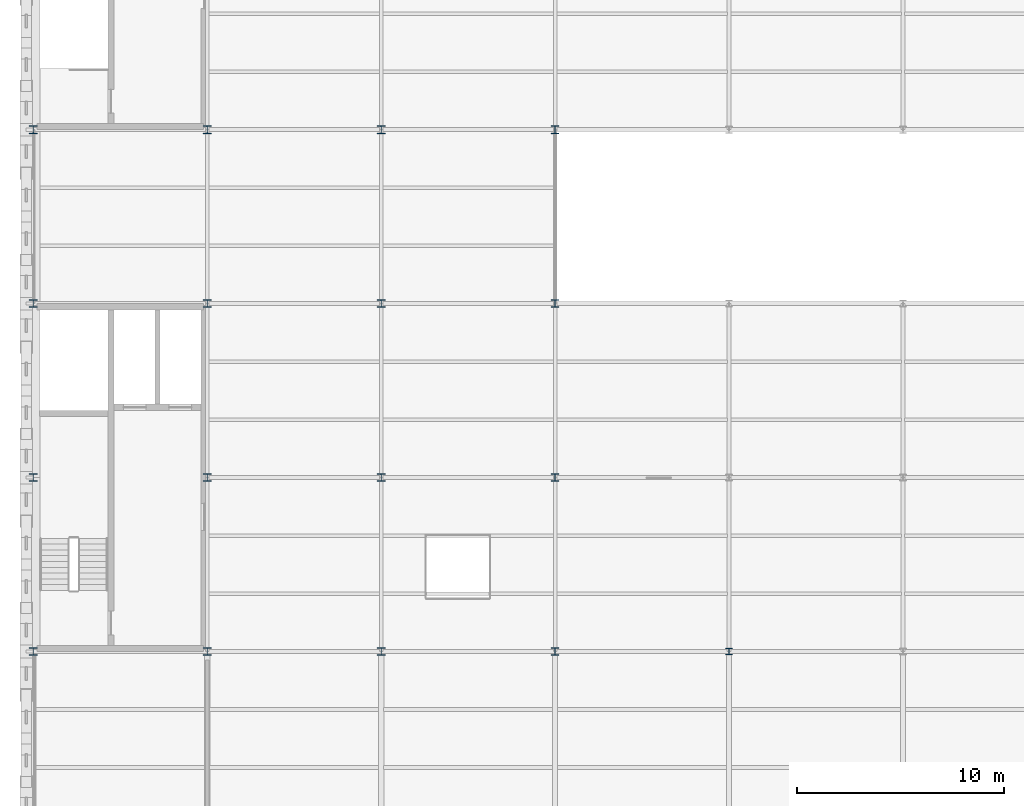
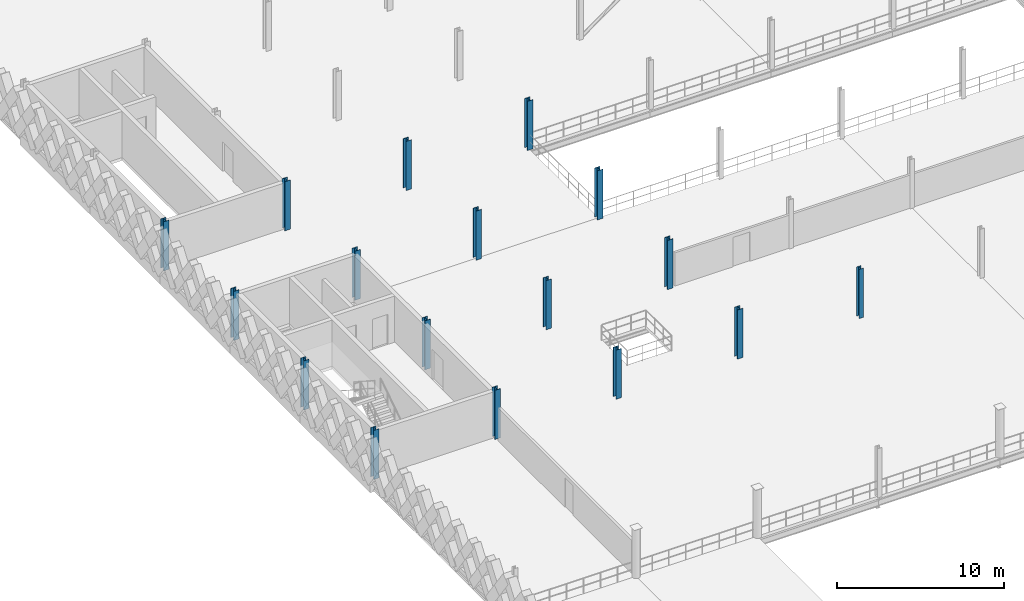
# One storey, part 3 of 47: 17 columns.
"""IFC4 building model written with IfcOpenShell, lengths in metres."""

from ifc_helpers import new_model, si_unit, direction, frame, origin, origin_2d, place, context, subcontext, project, spatial, i_section, extrude, material, material_profile, profile_set, type_object, element, save


model = new_model("IFC4")

# Units and contexts
model_context = context("Model", 3, precision=1e-05, world=origin(), true_north=direction((0.0, 1.0)))
body_context = subcontext(model_context, "Body", "Model", "MODEL_VIEW")
ifc_project = project(units=[si_unit("LENGTHUNIT", "METRE"), si_unit("AREAUNIT", "SQUARE_METRE"), si_unit("VOLUMEUNIT", "CUBIC_METRE"), si_unit("PLANEANGLEUNIT", "RADIAN"), si_unit("MASSUNIT", "GRAM", prefix="KILO"), si_unit("THERMODYNAMICTEMPERATUREUNIT", "KELVIN"), si_unit("POWERUNIT", "WATT")], contexts=[model_context])

# Site, building, storey
site_placement = place(None, origin())
site = spatial("IfcSite", under=ifc_project, at=site_placement, CompositionType="ELEMENT")
building_placement = place(site_placement, origin())
building = spatial("IfcBuilding", under=site, at=building_placement, Name="Tembeka Court Mobility Hub", CompositionType="ELEMENT")
storey_placement = place(building_placement, frame((0.0, 0.0, 19.800048828125)))
storey = spatial("IfcBuildingStorey", under=building, at=storey_placement, Name="L05", CompositionType="ELEMENT", Elevation=19.800048828125)

# Columns
ifc_material = material(Name="Steel S355", Category="steel")
ifc_material_profile_1 = material_profile(ifc_material, i_section(OverallWidth=0.373046875, OverallDepth=0.367919921875, WebThickness=0.014404296875, FlangeThickness=0.023681640625, FilletRadius=0.01513671875, at=origin_2d()), Name="UKC 356x368x177")
ifc_profile_set_1 = profile_set([ifc_material_profile_1], Name="Steel S355")
column_type_1 = type_object("IfcColumnType", Name="COL-C03", PredefinedType="COLUMN", material=ifc_profile_set_1)
for number, where, z_axis, x_axis, name in (
    (1, (0.0, 38.39990234375, 0.0), (0.0, 0.0, 1.0), (1.0, 0.0, 0.0), "Column C03 (L05-004)"),
    (2, (0.0, 46.800048828125, 0.0), (0.0, 0.0, 1.0), (1.0, 0.0, 0.0), "Column C03 (L05-005)"),
    (3, (0.0, 55.199951171875, 0.0), (0.0, 0.0, 1.0), (1.0, 0.0, 0.0), "Column C03 (L05-006)"),
    (4, (0.0, 63.60009765625, 0.0), (0.0, 0.0, 1.0), (1.0, 0.0, 0.0), "Column C03 (L05-007)"),
    (5, (8.39990234375, 38.39990234375, 0.0), (0.0, 0.0, 1.0), (1.0, 0.0, 0.0), "Column C03 (L05-016)"),
    (6, (8.39990234375, 46.800048828125, 0.0), (0.0, 0.0, 1.0), (1.0, 0.0, 0.0), "Column C03 (L05-017)"),
    (7, (8.39990234375, 55.199951171875, 0.0), (0.0, 0.0, 1.0), (1.0, 0.0, 0.0), "Column C03 (L05-018)"),
    (8, (8.39990234375, 63.60009765625, 0.0), (0.0, 0.0, 1.0), (1.0, 0.0, 0.0), "Column C03 (L05-019)"),
    (9, (16.800048828125, 38.39990234375, 0.0), (0.0, 0.0, 1.0), (1.0, 0.0, 0.0), "Column C03 (L05-028)"),
    (10, (16.800048828125, 46.800048828125, 0.0), (0.0, 0.0, 1.0), (1.0, 0.0, 0.0), "Column C03 (L05-029)"),
    (11, (16.800048828125, 55.199951171875, 0.0), (0.0, 0.0, 1.0), (1.0, 0.0, 0.0), "Column C03 (L05-030)"),
    (12, (16.800048828125, 63.60009765625, 0.0), (0.0, 0.0, 1.0), (1.0, 0.0, 0.0), "Column C03 (L05-031)"),
    (13, (25.199951171875, 38.39990234375, 0.0), (0.0, 0.0, 1.0), (1.0, 0.0, 0.0), "Column C03 (L05-039)"),
    (14, (25.199951171875, 46.800048828125, 0.0), (0.0, 0.0, 1.0), (1.0, 0.0, 0.0), "Column C03 (L05-040)"),
    (15, (25.199951171875, 55.199951171875, 0.0), (0.0, 0.0, 1.0), (1.0, 0.0, 0.0), "Column C03 (L05-041)"),
    (16, (25.199951171875, 63.60009765625, 0.0), (0.0, 0.0, 1.0), (1.0, 0.0, 0.0), "Column C03 (L05-042)"),
):
    element("IfcColumn", number, at=place(storey_placement, frame(where, z_axis=z_axis, x_axis=x_axis)), inside=storey, type_object=column_type_1, Name=name, PredefinedType="COLUMN", context=body_context, shape_type="SweptSolid", body=[
        extrude(i_section(OverallWidth=0.373046875, OverallDepth=0.367919921875, WebThickness=0.014404296875, FlangeThickness=0.023681640625, FilletRadius=0.01513671875, at=origin_2d()), origin(), (0.0, 0.0, 1.0), 3.599853515625),
    ])
ifc_material_profile_2 = material_profile(ifc_material, i_section(OverallWidth=0.30908203125, OverallDepth=0.321044921875, WebThickness=0.013916015625, FlangeThickness=0.021728515625, FilletRadius=0.01513671875, at=origin_2d()), Name="UKC 305x305x137")
ifc_profile_set_2 = profile_set([ifc_material_profile_2], Name="Steel S355")
column_type_2 = type_object("IfcColumnType", Name="COL-C04", PredefinedType="COLUMN", material=ifc_profile_set_2)
column_placement = place(storey_placement, frame((33.60009765625, 38.39990234375, 0.0), z_axis=(0.0, 0.0, 1.0), x_axis=(1.0, 0.0, 0.0)))
element("IfcColumn", 17, at=column_placement, inside=storey, type_object=column_type_2, Name="Column C04 (L05-050)", PredefinedType="COLUMN", context=body_context, shape_type="SweptSolid", body=[
    extrude(i_section(OverallWidth=0.30908203125, OverallDepth=0.321044921875, WebThickness=0.013916015625, FlangeThickness=0.021728515625, FilletRadius=0.01513671875, at=origin_2d()), origin(), (0.0, 0.0, 1.0), 3.599853515625),
])

save(model, "model.ifc")
